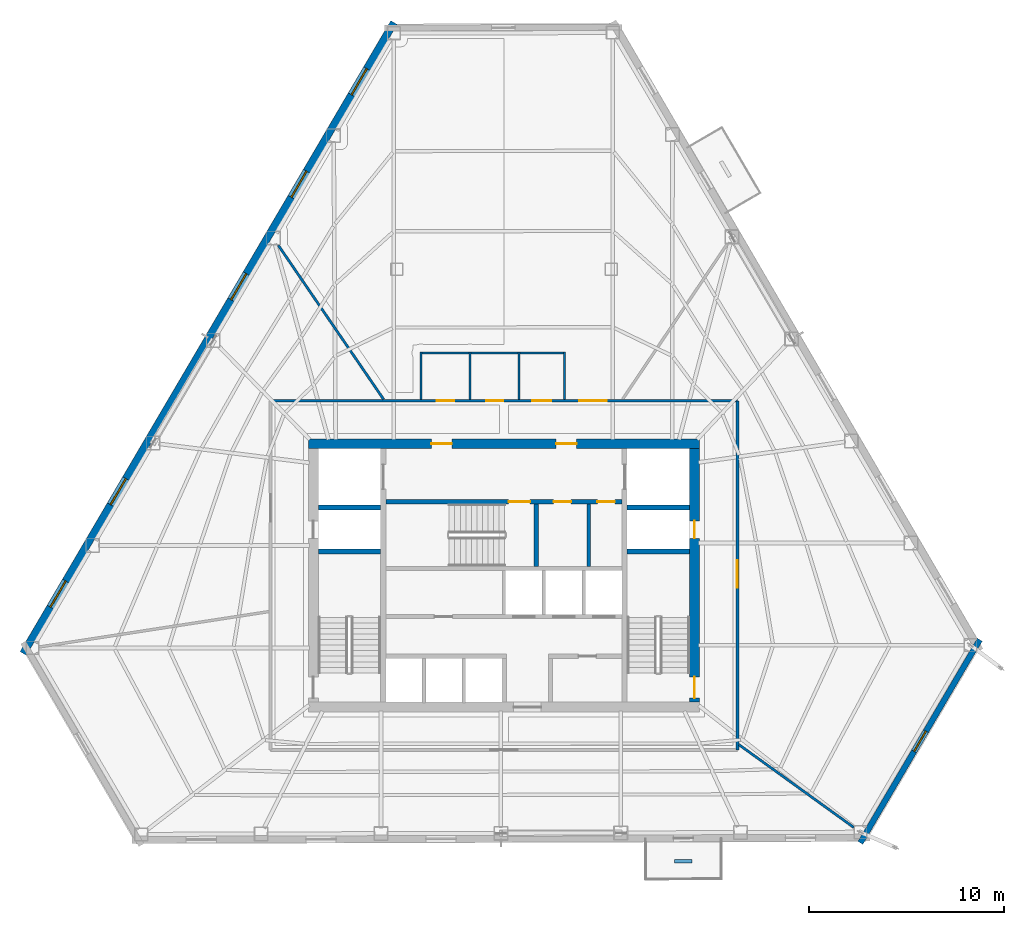
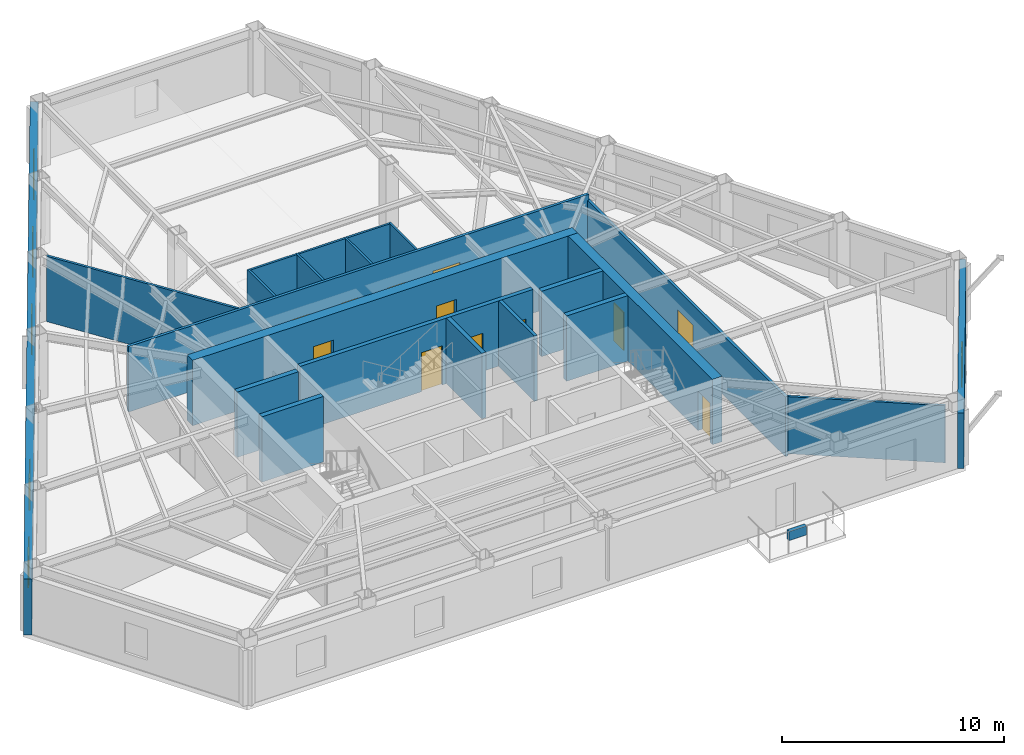
# One storey, part 7 of 10: 21 walls, 12 doors, 6 windows, 18 openings.
"""IFC4 building model written with IfcOpenShell, lengths in metres."""

import ifcopenshell
import ifcopenshell.guid

model = None  # the IFC model being written
_history = None  # IfcOwnerHistory: only IFC2X3 demands one
_inside = {}  # id of a spatial element -> (the spatial element, [elements in it])
_under = {}  # id of a project, library or spatial element -> (it, [spatial elements below it])
_declared = {}  # id of a project -> (the project, [libraries it declares])
_typed = {}  # id of a type object -> (the type object, [elements of that type])
_made_of = {}  # id of a material, layer set ... -> (it, [elements and type objects made of it])


def new_model(schema):
    """Start an empty IFC model of exactly this schema.

    Asked for "IFC4X3", IfcOpenShell would pick the latest addendum, in which some entities
    have other attributes; the version numbers below select the first issue.
    IFC2X3 requires an IfcOwnerHistory on every rooted entity: one is made here for all.
    """
    global model, _history
    if schema == "IFC4X3":
        model = ifcopenshell.file(schema_version=(4, 3, 0, 0))
    else:
        model = ifcopenshell.file(schema=schema)
    _inside.clear()
    _under.clear()
    _declared.clear()
    _typed.clear()
    _made_of.clear()
    _history = None
    if model.schema == "IFC2X3":
        org = make("IfcOrganization", Name="unknown")
        user = make(
            "IfcPersonAndOrganization",
            ThePerson=make("IfcPerson", FamilyName="unknown"),
            TheOrganization=org,
        )
        app = make(
            "IfcApplication",
            ApplicationDeveloper=org,
            Version="unknown",
            ApplicationFullName="unknown",
            ApplicationIdentifier="unknown",
        )
        _history = make(
            "IfcOwnerHistory",
            OwningUser=user,
            OwningApplication=app,
            ChangeAction="ADDED",
            CreationDate=0,
        )
    return model


def make(cls, **values):
    """One entity of the class cls with the attributes given. An attribute that is None is left unset."""
    return model.create_entity(
        cls, **{name: value for name, value in values.items() if value is not None}
    )


def rooted(cls, **values):
    """An entity with a GlobalId (a new one), such as an element, a storey or a relation."""
    return make(cls, GlobalId=ifcopenshell.guid.new(), OwnerHistory=_history, **values)


def si_unit(unit_type, name, prefix=None):
    """IfcSIUnit, for example si_unit("LENGTHUNIT", "METRE", prefix="MILLI")."""
    return make("IfcSIUnit", UnitType=unit_type, Prefix=prefix, Name=name)


def assignment(units):
    """IfcUnitAssignment: the units of a project."""
    return None if units is None else make("IfcUnitAssignment", Units=units)


def point(xyz):
    """IfcCartesianPoint."""
    return None if xyz is None else make("IfcCartesianPoint", Coordinates=xyz)


def direction(xyz):
    """IfcDirection."""
    return None if xyz is None else make("IfcDirection", DirectionRatios=xyz)


def frame(location, z_axis=None, x_axis=None):
    """IfcAxis2Placement3D, a coordinate frame: its origin and axes. An axis left out is left unset."""
    return make(
        "IfcAxis2Placement3D",
        Location=point(location),
        Axis=direction(z_axis),
        RefDirection=direction(x_axis),
    )


def frame_2d(location, x_axis=None):
    """IfcAxis2Placement2D, a coordinate frame in the plane: its origin and x axis."""
    return make(
        "IfcAxis2Placement2D", Location=point(location), RefDirection=direction(x_axis)
    )


def origin():
    """The frame at (0, 0, 0) with its axes left unset."""
    return frame((0.0, 0.0, 0.0))


def place(relative_to, where):
    """IfcLocalPlacement: puts the frame where relative to a parent placement (None: the world)."""
    return make(
        "IfcLocalPlacement", PlacementRelTo=relative_to, RelativePlacement=where
    )


def context(
    kind, dimensions, precision=None, world=None, true_north=None, identifier=None
):
    """IfcGeometricRepresentationContext, for example the 3D "Model" context."""
    return make(
        "IfcGeometricRepresentationContext",
        ContextIdentifier=identifier,
        ContextType=kind,
        CoordinateSpaceDimension=dimensions,
        Precision=precision,
        WorldCoordinateSystem=world,
        TrueNorth=true_north,
    )


def subcontext(parent, identifier, kind, view, scale=None):
    """IfcGeometricRepresentationSubContext, for example "Body" below "Model"."""
    return make(
        "IfcGeometricRepresentationSubContext",
        ContextIdentifier=identifier,
        ContextType=kind,
        ParentContext=parent,
        TargetScale=scale,
        TargetView=view,
    )


def project(units=None, contexts=None):
    """IfcProject with its units and contexts."""
    return rooted(
        "IfcProject",
        Name="project",
        RepresentationContexts=contexts,
        UnitsInContext=assignment(units),
    )


def spatial(cls, under=None, at=None, **own):
    """A site, building, storey or space (cls), placed at a placement, below another one or the project."""
    s = rooted(cls, ObjectPlacement=at, **own)
    if under is not None:
        _under.setdefault(under.id(), (under, []))[1].append(s)
    return s


def profile(cls, at=None, kind="AREA", **sizes):
    """A parametric profile (cls). Its sizes go by their IFC names, for example OverallWidth=200.0."""
    return make(cls, ProfileType=kind, Position=at, **sizes)


def rectangle(**sizes):
    """IfcRectangleProfileDef."""
    return profile("IfcRectangleProfileDef", **sizes)


def extrude(swept, where, along, depth):
    """IfcExtrudedAreaSolid: the profile swept, set in the frame where, extruded along a direction by depth."""
    return make(
        "IfcExtrudedAreaSolid",
        SweptArea=swept,
        Position=where,
        ExtrudedDirection=direction(along),
        Depth=depth,
    )


def shape(context_of_items, identifier, shape_type, items):
    """IfcShapeRepresentation: the items that make up one representation, for example the "Body"."""
    return make(
        "IfcShapeRepresentation",
        ContextOfItems=context_of_items,
        RepresentationIdentifier=identifier,
        RepresentationType=shape_type,
        Items=items,
    )


def material(Name=None, Category=None):
    """IfcMaterial."""
    return make("IfcMaterial", Name=Name, Category=Category)


def layer(
    of_material, thickness, ventilated=None, Name=None, Category=None, Priority=None
):
    """IfcMaterialLayer: one layer of a wall or slab, of a material (None: an air gap)."""
    return make(
        "IfcMaterialLayer",
        Material=of_material,
        LayerThickness=thickness,
        IsVentilated=ventilated,
        Name=Name,
        Category=Category,
        Priority=Priority,
    )


def layer_set(layers, Name=None):
    """IfcMaterialLayerSet."""
    return make("IfcMaterialLayerSet", MaterialLayers=layers, LayerSetName=Name)


def made_of(thing, what):
    """Note that an element or type object is made of a material, layer set ...; save() writes the relation."""
    if what is not None:
        _made_of.setdefault(what.id(), (what, []))[1].append(thing)
    return thing


def type_object(cls, material=None, **own):
    """A type object (cls), such as IfcWallType, which elements share."""
    return made_of(rooted(cls, **own), material)


def element(
    cls,
    number,
    at=None,
    inside=None,
    cuts=None,
    type_object=None,
    material=None,
    context=None,
    identifier="Body",
    shape_type=None,
    held_by="IfcProductDefinitionShape",
    body=None,
    shapes=None,
    **own,
):
    """One element of the class cls, such as IfcWall. Its Tag is "e" and its number.

    at: its placement. inside: the storey or other place that contains it. cuts: it is an
    opening in that element (IfcRelVoidsElement). A single representation is given by context,
    identifier, shape_type and body (its items); several are given by shapes. held_by: the class
    of the entity that holds the representations. save() writes the other relations.
    """
    e = rooted(cls, Tag="e%d" % number, ObjectPlacement=at, **own)
    if body is not None:
        shapes = [shape(context, identifier, shape_type, body)]
    if shapes is not None:
        e.Representation = make(held_by, Representations=shapes)
    if inside is not None:
        _inside.setdefault(inside.id(), (inside, []))[1].append(e)
    if cuts is not None:
        rooted(
            "IfcRelVoidsElement", RelatingBuildingElement=cuts, RelatedOpeningElement=e
        )
    if type_object is not None:
        _typed.setdefault(type_object.id(), (type_object, []))[1].append(e)
    return made_of(e, material)


def fill(opening, filler):
    """IfcRelFillsElement: the door or window that sits in an opening."""
    return rooted(
        "IfcRelFillsElement",
        RelatingOpeningElement=opening,
        RelatedBuildingElement=filler,
    )


def aggregate(whole, parts):
    """IfcRelAggregates: a whole, such as a stair, and the parts it consists of."""
    return rooted("IfcRelAggregates", RelatingObject=whole, RelatedObjects=parts)


def save(model, path):
    """Write the relations noted so far, then the file.

    IfcRelAggregates (storeys below a building ...), IfcRelContainedInSpatialStructure (elements
    in a storey), IfcRelDefinesByType, IfcRelAssociatesMaterial and IfcRelDeclares: one each for
    every whole, place, type object, material and project.
    """
    for whole, parts in _under.values():
        aggregate(whole, parts)
    for where, things in _inside.values():
        rooted(
            "IfcRelContainedInSpatialStructure",
            RelatedElements=things,
            RelatingStructure=where,
        )
    for kind, things in _typed.values():
        rooted("IfcRelDefinesByType", RelatedObjects=things, RelatingType=kind)
    for what, things in _made_of.values():
        rooted("IfcRelAssociatesMaterial", RelatedObjects=things, RelatingMaterial=what)
    for by, libraries in _declared.values():
        rooted("IfcRelDeclares", RelatingContext=by, RelatedDefinitions=libraries)
    model.write(path)


model = new_model("IFC4")

# Units and contexts
model_context = context("Model", 3, precision=1e-05, world=origin(), true_north=direction((0.0, 1.0)))
body_context = subcontext(model_context, "Body", "Model", "MODEL_VIEW")
ifc_project = project(units=[si_unit("LENGTHUNIT", "METRE"), si_unit("AREAUNIT", "SQUARE_METRE"), si_unit("VOLUMEUNIT", "CUBIC_METRE"), si_unit("PLANEANGLEUNIT", "RADIAN"), si_unit("MASSUNIT", "GRAM", prefix="KILO")], contexts=[model_context])

# Site, building, storey
site_placement = place(None, origin())
site = spatial("IfcSite", under=ifc_project, at=site_placement, CompositionType="ELEMENT")
building_placement = place(site_placement, origin())
building = spatial("IfcBuilding", under=site, at=building_placement, Name="Kavelnor Concourse Tower", CompositionType="ELEMENT")
storey_placement = place(building_placement, frame((0.0, 0.0, 135.550048828125)))
storey = spatial("IfcBuildingStorey", under=building, at=storey_placement, Name="L34", CompositionType="ELEMENT", Elevation=135.550048828125)

# Wall, openings, doors
ifc_material_1 = material(Name="Concrete C60/75", Category="concrete")
ifc_layer_1 = layer(ifc_material_1, 0.5, Name="Concrete C60/75")
ifc_layer_set_1 = layer_set([ifc_layer_1], Name="Concrete C60/75")
wall_type_1 = type_object("IfcWallType", Name="WL-CORE-Z2-500", PredefinedType="SOLIDWALL", material=ifc_layer_set_1)
wall_1_placement = place(storey_placement, frame((27.97998046875, 22.85009765625, 0.0), z_axis=(0.0, 0.0, 1.0), x_axis=(1.0, 0.0, 0.0)))
wall_1 = element("IfcWall", 1, at=wall_1_placement, inside=storey, type_object=wall_type_1, Name="L34 Central Core North Shear Wall", PredefinedType="SOLIDWALL", context=body_context, shape_type="SweptSolid", body=[
    extrude(rectangle(XDim=20.0400390625, YDim=0.5, at=frame_2d((10.02001953125, 0.0))), origin(), (0.0, 0.0, 1.0), 3.599853515625),
])
opening_1_placement = place(wall_1_placement, frame((6.294921875, 0.0, 0.0)))
opening_1 = element("IfcOpeningElement", 2, at=opening_1_placement, cuts=wall_1, Name="Opening FD-105", PredefinedType="OPENING", context=body_context, shape_type="SweptSolid", body=[
    extrude(rectangle(XDim=1.050048828125, YDim=2.14990234375, at=frame_2d((0.52490234375, 1.074951171875))), frame((0.0, 0.260009765625, 0.0), z_axis=(0.0, -1.0, 0.0), x_axis=(1.0, 0.0, 0.0)), (0.0, 0.0, 1.0), 0.52001953125),
])
opening_2_placement = place(wall_1_placement, frame((12.695068359375, 0.0, 0.0)))
opening_2 = element("IfcOpeningElement", 3, at=opening_2_placement, cuts=wall_1, Name="Opening FD-105", PredefinedType="OPENING", context=body_context, shape_type="SweptSolid", body=[
    extrude(rectangle(XDim=1.050048828125, YDim=2.14990234375, at=frame_2d((0.52490234375, 1.074951171875))), frame((0.0, 0.260009765625, 0.0), z_axis=(0.0, -1.0, 0.0), x_axis=(1.0, 0.0, 0.0)), (0.0, 0.0, 1.0), 0.52001953125),
])
ifc_material_2 = material(Name="Steel Grade 350", Category="steel")
door_type_1 = type_object("IfcDoorType", Name="DR-LOBBY-FIRE-1050", OperationType="NOTDEFINED", PredefinedType="DOOR", material=ifc_material_2)
door_1_placement = place(opening_1_placement, origin())
door_1 = element("IfcDoor", 4, at=door_1_placement, inside=storey, type_object=door_type_1, Name="L34 Emergency Lift Lobby West Door", OperationType="SINGLE_SWING_LEFT", OverallHeight=2.14990234375, OverallWidth=1.050048828125, PredefinedType="DOOR", context=body_context, shape_type="SweptSolid", body=[
    extrude(rectangle(XDim=1.050048828125, YDim=2.14990234375, at=frame_2d((0.52490234375, 1.074951171875))), frame((0.0, 0.02490234375, 0.0), z_axis=(0.0, -1.0, 0.0), x_axis=(1.0, 0.0, 0.0)), (0.0, 0.0, 1.0), 0.050048828125),
])
fill(opening_1, door_1)
door_2_placement = place(opening_2_placement, origin())
door_2 = element("IfcDoor", 5, at=door_2_placement, inside=storey, type_object=door_type_1, Name="L34 Emergency Lift Lobby East Door", OperationType="SINGLE_SWING_RIGHT", OverallHeight=2.14990234375, OverallWidth=1.050048828125, PredefinedType="DOOR", context=body_context, shape_type="SweptSolid", body=[
    extrude(rectangle(XDim=1.050048828125, YDim=2.14990234375, at=frame_2d((0.52490234375, 1.074951171875))), frame((0.0, 0.02490234375, 0.0), z_axis=(0.0, -1.0, 0.0), x_axis=(1.0, 0.0, 0.0)), (0.0, 0.0, 1.0), 0.050048828125),
])
fill(opening_2, door_2)

wall_2_placement = place(storey_placement, frame((47.77001953125, 9.60009765625, 0.0), z_axis=(0.0, 0.0, 1.0), x_axis=(0.0, 1.0, 0.0)))
wall_2 = element("IfcWall", 6, at=wall_2_placement, inside=storey, type_object=wall_type_1, Name="L34 Central Core East Shear Wall", PredefinedType="SOLIDWALL", context=body_context, shape_type="SweptSolid", body=[
    extrude(rectangle(XDim=13.0, YDim=0.5, at=frame_2d((6.5, 0.0))), origin(), (0.0, 0.0, 1.0), 3.599853515625),
])
opening_3_placement = place(wall_2_placement, frame((0.199951171875, 0.0, 0.0)))
opening_3 = element("IfcOpeningElement", 7, at=opening_3_placement, cuts=wall_2, Name="Opening FD-110", PredefinedType="OPENING", context=body_context, shape_type="SweptSolid", body=[
    extrude(rectangle(XDim=1.10009765625, YDim=2.14990234375, at=frame_2d((0.550048828125, 1.074951171875))), frame((0.0, 0.260009765625, 0.0), z_axis=(0.0, -1.0, 0.0), x_axis=(1.0, 0.0, 0.0)), (0.0, 0.0, 1.0), 0.52001953125),
])
opening_4_placement = place(wall_2_placement, frame((8.39990234375, 0.0, 0.0)))
opening_4 = element("IfcOpeningElement", 8, at=opening_4_placement, cuts=wall_2, Name="Opening FD-090", PredefinedType="OPENING", context=body_context, shape_type="SweptSolid", body=[
    extrude(rectangle(XDim=0.89990234375, YDim=2.10009765625, at=frame_2d((0.449951171875, 1.050048828125))), frame((0.0, 0.260009765625, 0.0), z_axis=(0.0, -1.0, 0.0), x_axis=(1.0, 0.0, 0.0)), (0.0, 0.0, 1.0), 0.52001953125),
])
door_type_2 = type_object("IfcDoorType", Name="DR-RISER-FIRE-900", OperationType="NOTDEFINED", PredefinedType="DOOR", material=ifc_material_2)
door_3_placement = place(opening_4_placement, origin())
door_3 = element("IfcDoor", 9, at=door_3_placement, inside=storey, type_object=door_type_2, Name="L34 East Riser Access Door", OperationType="SINGLE_SWING_LEFT", OverallHeight=2.10009765625, OverallWidth=0.89990234375, PredefinedType="DOOR", context=body_context, shape_type="SweptSolid", body=[
    extrude(rectangle(XDim=0.89990234375, YDim=2.10009765625, at=frame_2d((0.449951171875, 1.050048828125))), frame((0.0, 0.02490234375, 0.0), z_axis=(0.0, -1.0, 0.0), x_axis=(1.0, 0.0, 0.0)), (0.0, 0.0, 1.0), 0.050048828125),
])
fill(opening_4, door_3)
door_type_3 = type_object("IfcDoorType", Name="DR-STAIR-FIRE-1100", OperationType="NOTDEFINED", PredefinedType="DOOR", material=ifc_material_2)
door_4_placement = place(opening_3_placement, origin())
door_4 = element("IfcDoor", 10, at=door_4_placement, inside=storey, type_object=door_type_3, Name="L34 Stair ST2 Fire Door", OperationType="SINGLE_SWING_RIGHT", OverallHeight=2.14990234375, OverallWidth=1.10009765625, PredefinedType="DOOR", context=body_context, shape_type="SweptSolid", body=[
    extrude(rectangle(XDim=1.10009765625, YDim=2.14990234375, at=frame_2d((0.550048828125, 1.074951171875))), frame((0.0, 0.02490234375, 0.0), z_axis=(0.0, -1.0, 0.0), x_axis=(1.0, 0.0, 0.0)), (0.0, 0.0, 1.0), 0.050048828125),
])
fill(opening_3, door_4)

# Wall, opening, window
ifc_material_3 = material(Name="Buff ironspot clay face brick masonry", Category="masonry")
ifc_layer_2 = layer(ifc_material_3, 0.300048828125, Name="Buff ironspot clay face brick masonry")
ifc_layer_set_2 = layer_set([ifc_layer_2], Name="Buff ironspot clay face brick masonry")
wall_type_2 = type_object("IfcWallType", Name="WL-EXT-BUFF-BRICK-FOLD-300", PredefinedType="STANDARD", material=ifc_layer_set_2)
wall_3_placement = place(storey_placement, frame((62.3974609375, 12.8017578125, 0.0), z_axis=(0.0, 0.0, 1.0), x_axis=(-0.506717254538, -0.862112303562, 0.0)))
wall_3 = element("IfcWall", 11, at=wall_3_placement, inside=storey, type_object=wall_type_2, Name="L34 Exterior Brick Facade Wall E4", PredefinedType="STANDARD", context=body_context, shape_type="SweptSolid", body=[
    extrude(rectangle(XDim=12.084228515625, YDim=0.300048828125, at=frame_2d((6.0419921875, 0.0))), origin(), (0.0, 0.0, 1.0), 3.058837890625),
])
opening_5_placement = place(wall_3_placement, frame((5.442138671875, 0.0, 0.64990234375)))
opening_5 = element("IfcOpeningElement", 12, at=opening_5_placement, cuts=wall_3, Name="Opening W-05", PredefinedType="OPENING", context=body_context, shape_type="SweptSolid", body=[
    extrude(rectangle(XDim=1.199951171875, YDim=1.699951171875, at=frame_2d((0.60009765625, 0.85009765625))), frame((0.0, 0.16015625, 0.0), z_axis=(0.0, -1.0, 0.0), x_axis=(1.0, 0.0, 0.0)), (0.0, 0.0, 1.0), 0.320068359375),
])
ifc_material_4 = material(Name="Double low-E argon insulated glazing", Category="glass")
window_type_1 = type_object("IfcWindowType", Name="WIN-FOLD-1200", PartitioningType="SINGLE_PANEL", PredefinedType="WINDOW", material=ifc_material_4)
window_1_placement = place(opening_5_placement, origin())
window_1 = element("IfcWindow", 13, at=window_1_placement, inside=storey, type_object=window_type_1, Name="L34 Chamfer-Fold Facet Window C2", OverallHeight=1.699951171875, OverallWidth=1.199951171875, PartitioningType="SINGLE_PANEL", PredefinedType="WINDOW", context=body_context, shape_type="SweptSolid", body=[
    extrude(rectangle(XDim=1.199951171875, YDim=1.699951171875, at=frame_2d((0.60009765625, 0.85009765625))), frame((0.0, 0.030029296875, 0.0), z_axis=(0.0, -1.0, 0.0), x_axis=(1.0, 0.0, 0.0)), (0.0, 0.0, 1.0), 0.06005859375),
])
fill(opening_5, window_1)

# Wall, openings, windows
ifc_material_5 = material(Name="Red-ochre clay face brick masonry", Category="masonry")
ifc_layer_3 = layer(ifc_material_5, 0.3798828125, Name="Red-ochre clay face brick masonry")
ifc_layer_set_3 = layer_set([ifc_layer_3], Name="Red-ochre clay face brick masonry")
wall_type_3 = type_object("IfcWallType", Name="WL-EXT-RED-BRICK-PIER-380", PredefinedType="STANDARD", material=ifc_layer_set_3)
wall_4_placement = place(storey_placement, frame((13.3486328125, 12.09765625, 0.0), z_axis=(0.0, 0.0, 1.0), x_axis=(0.506726076083, 0.862107118528, 0.0)))
wall_4 = element("IfcWall", 14, at=wall_4_placement, inside=storey, type_object=wall_type_3, Name="L34 Exterior Brick Facade Wall E1", PredefinedType="STANDARD", context=body_context, shape_type="SweptSolid", body=[
    extrude(rectangle(XDim=37.521728515625, YDim=0.3798828125, at=frame_2d((18.7607421875, 0.0))), origin(), (0.0, 0.0, 1.0), 3.058837890625),
])
opening_6_placement = place(wall_4_placement, frame((33.2255859375, 0.0, 0.64990234375)))
opening_6 = element("IfcOpeningElement", 15, at=opening_6_placement, cuts=wall_4, Name="Opening W-02", PredefinedType="OPENING", context=body_context, shape_type="SweptSolid", body=[
    extrude(rectangle(XDim=1.550048828125, YDim=1.75, at=frame_2d((0.77490234375, 0.875))), frame((0.0, 0.199951171875, 0.0), z_axis=(0.0, -1.0, 0.0), x_axis=(1.0, 0.0, 0.0)), (0.0, 0.0, 1.0), 0.39990234375),
])
opening_7_placement = place(wall_4_placement, frame((27.131103515625, 0.0, 0.64990234375)))
opening_7 = element("IfcOpeningElement", 16, at=opening_7_placement, cuts=wall_4, Name="Opening W-02", PredefinedType="OPENING", context=body_context, shape_type="SweptSolid", body=[
    extrude(rectangle(XDim=1.550048828125, YDim=1.75, at=frame_2d((0.77490234375, 0.875))), frame((0.0, 0.199951171875, 0.0), z_axis=(0.0, -1.0, 0.0), x_axis=(1.0, 0.0, 0.0)), (0.0, 0.0, 1.0), 0.39990234375),
])
opening_8_placement = place(wall_4_placement, frame((21.03662109375, 0.0, 0.64990234375)))
opening_8 = element("IfcOpeningElement", 17, at=opening_8_placement, cuts=wall_4, Name="Opening W-02", PredefinedType="OPENING", context=body_context, shape_type="SweptSolid", body=[
    extrude(rectangle(XDim=1.550048828125, YDim=1.75, at=frame_2d((0.77490234375, 0.875))), frame((0.0, 0.199951171875, 0.0), z_axis=(0.0, -1.0, 0.0), x_axis=(1.0, 0.0, 0.0)), (0.0, 0.0, 1.0), 0.39990234375),
])
opening_9_placement = place(wall_4_placement, frame((8.847900390625, 0.0, 0.64990234375)))
opening_9 = element("IfcOpeningElement", 18, at=opening_9_placement, cuts=wall_4, Name="Opening W-02", PredefinedType="OPENING", context=body_context, shape_type="SweptSolid", body=[
    extrude(rectangle(XDim=1.550048828125, YDim=1.75, at=frame_2d((0.77490234375, 0.875))), frame((0.0, 0.199951171875, 0.0), z_axis=(0.0, -1.0, 0.0), x_axis=(1.0, 0.0, 0.0)), (0.0, 0.0, 1.0), 0.39990234375),
])
opening_10_placement = place(wall_4_placement, frame((2.75341796875, 0.0, 0.64990234375)))
opening_10 = element("IfcOpeningElement", 19, at=opening_10_placement, cuts=wall_4, Name="Opening W-02", PredefinedType="OPENING", context=body_context, shape_type="SweptSolid", body=[
    extrude(rectangle(XDim=1.550048828125, YDim=1.75, at=frame_2d((0.77490234375, 0.875))), frame((0.0, 0.199951171875, 0.0), z_axis=(0.0, -1.0, 0.0), x_axis=(1.0, 0.0, 0.0)), (0.0, 0.0, 1.0), 0.39990234375),
])
window_type_2 = type_object("IfcWindowType", Name="WIN-PIER-Z2-1650", PartitioningType="SINGLE_PANEL", PredefinedType="WINDOW", material=ifc_material_4)
window_2_placement = place(opening_6_placement, origin())
window_2 = element("IfcWindow", 20, at=window_2_placement, inside=storey, type_object=window_type_2, Name="L34 Deep-Set Brick Pier Window F0-B0", OverallHeight=1.75, OverallWidth=1.550048828125, PartitioningType="SINGLE_PANEL", PredefinedType="WINDOW", context=body_context, shape_type="SweptSolid", body=[
    extrude(rectangle(XDim=1.550048828125, YDim=1.75, at=frame_2d((0.77490234375, 0.875))), frame((0.0, 0.030029296875, 0.0), z_axis=(0.0, -1.0, 0.0), x_axis=(1.0, 0.0, 0.0)), (0.0, 0.0, 1.0), 0.06005859375),
])
fill(opening_6, window_2)
window_3_placement = place(opening_7_placement, origin())
window_3 = element("IfcWindow", 21, at=window_3_placement, inside=storey, type_object=window_type_2, Name="L34 Deep-Set Brick Pier Window F0-B1", OverallHeight=1.75, OverallWidth=1.550048828125, PartitioningType="SINGLE_PANEL", PredefinedType="WINDOW", context=body_context, shape_type="SweptSolid", body=[
    extrude(rectangle(XDim=1.550048828125, YDim=1.75, at=frame_2d((0.77490234375, 0.875))), frame((0.0, 0.030029296875, 0.0), z_axis=(0.0, -1.0, 0.0), x_axis=(1.0, 0.0, 0.0)), (0.0, 0.0, 1.0), 0.06005859375),
])
fill(opening_7, window_3)
window_4_placement = place(opening_8_placement, origin())
window_4 = element("IfcWindow", 22, at=window_4_placement, inside=storey, type_object=window_type_2, Name="L34 Deep-Set Brick Pier Window F0-B2", OverallHeight=1.75, OverallWidth=1.550048828125, PartitioningType="SINGLE_PANEL", PredefinedType="WINDOW", context=body_context, shape_type="SweptSolid", body=[
    extrude(rectangle(XDim=1.550048828125, YDim=1.75, at=frame_2d((0.77490234375, 0.875))), frame((0.0, 0.030029296875, 0.0), z_axis=(0.0, -1.0, 0.0), x_axis=(1.0, 0.0, 0.0)), (0.0, 0.0, 1.0), 0.06005859375),
])
fill(opening_8, window_4)
window_5_placement = place(opening_9_placement, origin())
window_5 = element("IfcWindow", 23, at=window_5_placement, inside=storey, type_object=window_type_2, Name="L34 Deep-Set Brick Pier Window F0-B4", OverallHeight=1.75, OverallWidth=1.550048828125, PartitioningType="SINGLE_PANEL", PredefinedType="WINDOW", context=body_context, shape_type="SweptSolid", body=[
    extrude(rectangle(XDim=1.550048828125, YDim=1.75, at=frame_2d((0.77490234375, 0.875))), frame((0.0, 0.030029296875, 0.0), z_axis=(0.0, -1.0, 0.0), x_axis=(1.0, 0.0, 0.0)), (0.0, 0.0, 1.0), 0.06005859375),
])
fill(opening_9, window_5)
window_6_placement = place(opening_10_placement, origin())
window_6 = element("IfcWindow", 24, at=window_6_placement, inside=storey, type_object=window_type_2, Name="L34 Deep-Set Brick Pier Window F0-B5", OverallHeight=1.75, OverallWidth=1.550048828125, PartitioningType="SINGLE_PANEL", PredefinedType="WINDOW", context=body_context, shape_type="SweptSolid", body=[
    extrude(rectangle(XDim=1.550048828125, YDim=1.75, at=frame_2d((0.77490234375, 0.875))), frame((0.0, 0.030029296875, 0.0), z_axis=(0.0, -1.0, 0.0), x_axis=(1.0, 0.0, 0.0)), (0.0, 0.0, 1.0), 0.06005859375),
])
fill(opening_10, window_6)

# Wall, opening, door
ifc_material_6 = material(Name="Gypsum plasterboard on light-gauge steel studs", Category="steel")
ifc_layer_4 = layer(ifc_material_6, 0.14501953125, Name="Gypsum plasterboard on light-gauge steel studs")
ifc_layer_set_4 = layer_set([ifc_layer_4], Name="Gypsum plasterboard on light-gauge steel studs")
wall_type_4 = type_object("IfcWallType", Name="WL-INT-CORR-145", PredefinedType="PARTITIONING", material=ifc_layer_set_4)
wall_5_placement = place(storey_placement, frame((49.969970703125, 7.14990234375, 0.0), z_axis=(0.0, 0.0, 1.0), x_axis=(0.0, 1.0, 0.0)))
wall_5 = element("IfcWall", 25, at=wall_5_placement, inside=storey, type_object=wall_type_4, Name="L34 Corridor Wall WL-L34-CR-01", PredefinedType="PARTITIONING", context=body_context, shape_type="SweptSolid", body=[
    extrude(rectangle(XDim=17.900146484375, YDim=0.14501953125, at=frame_2d((8.9501953125, 0.0))), origin(), (0.0, 0.0, 1.0), 3.287841796875),
])
opening_11_placement = place(wall_5_placement, frame((8.328125, 0.0, 0.0)))
opening_11 = element("IfcOpeningElement", 26, at=opening_11_placement, cuts=wall_5, Name="Opening SD-140", PredefinedType="OPENING", context=body_context, shape_type="SweptSolid", body=[
    extrude(rectangle(XDim=1.39990234375, YDim=2.199951171875, at=frame_2d((0.699951171875, 1.10009765625))), frame((0.0, 0.08251953125, 0.0), z_axis=(0.0, -1.0, 0.0), x_axis=(1.0, 0.0, 0.0)), (0.0, 0.0, 1.0), 0.1650390625),
])
ifc_material_7 = material(Name="Solid-core hardwood timber", Category="wood")
door_type_4 = type_object("IfcDoorType", Name="DR-SUITE-ENTRY-1400", OperationType="NOTDEFINED", PredefinedType="DOOR", material=ifc_material_7)
door_5_placement = place(opening_11_placement, origin())
door_5 = element("IfcDoor", 27, at=door_5_placement, inside=storey, type_object=door_type_4, Name="L34 Client Concierge 01 Door", OperationType="SINGLE_SWING_RIGHT", OverallHeight=2.199951171875, OverallWidth=1.39990234375, PredefinedType="DOOR", context=body_context, shape_type="SweptSolid", body=[
    extrude(rectangle(XDim=1.39990234375, YDim=2.199951171875, at=frame_2d((0.699951171875, 1.10009765625))), frame((0.0, 0.02490234375, 0.0), z_axis=(0.0, -1.0, 0.0), x_axis=(1.0, 0.0, 0.0)), (0.0, 0.0, 1.0), 0.050048828125),
])
fill(opening_11, door_5)

# Wall, openings, doors
wall_6_placement = place(storey_placement, frame((49.969970703125, 25.050048828125, 0.0), z_axis=(0.0, 0.0, 1.0), x_axis=(-1.0, 0.0, 0.0)))
wall_6 = element("IfcWall", 28, at=wall_6_placement, inside=storey, type_object=wall_type_4, Name="L34 Corridor Wall WL-L34-CR-02", PredefinedType="PARTITIONING", context=body_context, shape_type="SweptSolid", body=[
    extrude(rectangle(XDim=23.93994140625, YDim=0.14501953125, at=frame_2d((11.969970703125, 0.0))), origin(), (0.0, 0.0, 1.0), 3.599853515625),
])
opening_12_placement = place(wall_6_placement, frame((14.530029296875, 0.0, 0.0)))
opening_12 = element("IfcOpeningElement", 29, at=opening_12_placement, cuts=wall_6, Name="Opening WD-088", PredefinedType="OPENING", context=body_context, shape_type="SweptSolid", body=[
    extrude(rectangle(XDim=0.8798828125, YDim=2.10009765625, at=frame_2d((0.43994140625, 1.050048828125))), frame((0.0, 0.08251953125, 0.0), z_axis=(0.0, -1.0, 0.0), x_axis=(1.0, 0.0, 0.0)), (0.0, 0.0, 1.0), 0.1650390625),
])
opening_13_placement = place(wall_6_placement, frame((12.010009765625, 0.0, 0.0)))
opening_13 = element("IfcOpeningElement", 30, at=opening_13_placement, cuts=wall_6, Name="Opening WD-088", PredefinedType="OPENING", context=body_context, shape_type="SweptSolid", body=[
    extrude(rectangle(XDim=0.8798828125, YDim=2.10009765625, at=frame_2d((0.43994140625, 1.050048828125))), frame((0.0, 0.08251953125, 0.0), z_axis=(0.0, -1.0, 0.0), x_axis=(1.0, 0.0, 0.0)), (0.0, 0.0, 1.0), 0.1650390625),
])
opening_14_placement = place(wall_6_placement, frame((9.550048828125, 0.0, 0.0)))
opening_14 = element("IfcOpeningElement", 31, at=opening_14_placement, cuts=wall_6, Name="Opening WD-096", PredefinedType="OPENING", context=body_context, shape_type="SweptSolid", body=[
    extrude(rectangle(XDim=0.9599609375, YDim=2.10009765625, at=frame_2d((0.47998046875, 1.050048828125))), frame((0.0, 0.08251953125, 0.0), z_axis=(0.0, -1.0, 0.0), x_axis=(1.0, 0.0, 0.0)), (0.0, 0.0, 1.0), 0.1650390625),
])
opening_15_placement = place(wall_6_placement, frame((6.709228515625, 0.0, 0.0)))
opening_15 = element("IfcOpeningElement", 32, at=opening_15_placement, cuts=wall_6, Name="Opening SD-140", PredefinedType="OPENING", context=body_context, shape_type="SweptSolid", body=[
    extrude(rectangle(XDim=1.39990234375, YDim=2.199951171875, at=frame_2d((0.699951171875, 1.10009765625))), frame((0.0, 0.08251953125, 0.0), z_axis=(0.0, -1.0, 0.0), x_axis=(1.0, 0.0, 0.0)), (0.0, 0.0, 1.0), 0.1650390625),
])
door_6_placement = place(opening_15_placement, origin())
door_6 = element("IfcDoor", 33, at=door_6_placement, inside=storey, type_object=door_type_4, Name="L34 Workplace Open Office 02 Door", OperationType="SINGLE_SWING_LEFT", OverallHeight=2.199951171875, OverallWidth=1.39990234375, PredefinedType="DOOR", context=body_context, shape_type="SweptSolid", body=[
    extrude(rectangle(XDim=1.39990234375, YDim=2.199951171875, at=frame_2d((0.699951171875, 1.10009765625))), frame((0.0, 0.02490234375, 0.0), z_axis=(0.0, -1.0, 0.0), x_axis=(1.0, 0.0, 0.0)), (0.0, 0.0, 1.0), 0.050048828125),
])
fill(opening_15, door_6)
door_type_5 = type_object("IfcDoorType", Name="DR-WC-ACC-960", OperationType="NOTDEFINED", PredefinedType="DOOR", material=ifc_material_7)
door_7_placement = place(opening_14_placement, origin())
door_7 = element("IfcDoor", 34, at=door_7_placement, inside=storey, type_object=door_type_5, Name="L34 Accessible WC Door", OperationType="SINGLE_SWING_RIGHT", OverallHeight=2.10009765625, OverallWidth=0.9599609375, PredefinedType="DOOR", context=body_context, shape_type="SweptSolid", body=[
    extrude(rectangle(XDim=0.9599609375, YDim=2.10009765625, at=frame_2d((0.47998046875, 1.050048828125))), frame((0.0, 0.02490234375, 0.0), z_axis=(0.0, -1.0, 0.0), x_axis=(1.0, 0.0, 0.0)), (0.0, 0.0, 1.0), 0.050048828125),
])
fill(opening_14, door_7)
door_type_6 = type_object("IfcDoorType", Name="DR-WC-STD-880", OperationType="NOTDEFINED", PredefinedType="DOOR", material=ifc_material_7)
door_8_placement = place(opening_12_placement, origin())
door_8 = element("IfcDoor", 35, at=door_8_placement, inside=storey, type_object=door_type_6, Name="L34 Male WC Door", OperationType="SINGLE_SWING_RIGHT", OverallHeight=2.10009765625, OverallWidth=0.8798828125, PredefinedType="DOOR", context=body_context, shape_type="SweptSolid", body=[
    extrude(rectangle(XDim=0.8798828125, YDim=2.10009765625, at=frame_2d((0.43994140625, 1.050048828125))), frame((0.0, 0.02490234375, 0.0), z_axis=(0.0, -1.0, 0.0), x_axis=(1.0, 0.0, 0.0)), (0.0, 0.0, 1.0), 0.050048828125),
])
fill(opening_12, door_8)
door_9_placement = place(opening_13_placement, origin())
door_9 = element("IfcDoor", 36, at=door_9_placement, inside=storey, type_object=door_type_6, Name="L34 Female WC Door", OperationType="SINGLE_SWING_LEFT", OverallHeight=2.10009765625, OverallWidth=0.8798828125, PredefinedType="DOOR", context=body_context, shape_type="SweptSolid", body=[
    extrude(rectangle(XDim=0.8798828125, YDim=2.10009765625, at=frame_2d((0.43994140625, 1.050048828125))), frame((0.0, 0.02490234375, 0.0), z_axis=(0.0, -1.0, 0.0), x_axis=(1.0, 0.0, 0.0)), (0.0, 0.0, 1.0), 0.050048828125),
])
fill(opening_13, door_9)

# Walls
ifc_layer_5 = layer(ifc_material_6, 0.1650390625, Name="Gypsum plasterboard on light-gauge steel studs")
ifc_layer_set_5 = layer_set([ifc_layer_5], Name="Gypsum plasterboard on light-gauge steel studs")
wall_type_5 = type_object("IfcWallType", Name="WL-INT-FIRE-165", PredefinedType="PARTITIONING", material=ifc_layer_set_5)
wall_7_placement = place(storey_placement, frame((42.35009765625, 16.56005859375, 0.0), z_axis=(0.0, 0.0, 1.0), x_axis=(0.0, 1.0, 0.0)))
element("IfcWall", 37, at=wall_7_placement, inside=storey, type_object=wall_type_5, Name="L34 Core Support Asymmetric Divider", PredefinedType="PARTITIONING", context=body_context, shape_type="SweptSolid", body=[
    extrude(rectangle(XDim=3.199951171875, YDim=0.1650390625, at=frame_2d((1.60009765625, 0.0))), origin(), (0.0, 0.0, 1.0), 3.599853515625),
])
ifc_layer_6 = layer(ifc_material_6, 0.125, Name="Gypsum plasterboard on light-gauge steel studs")
ifc_layer_set_6 = layer_set([ifc_layer_6], Name="Gypsum plasterboard on light-gauge steel studs")
wall_type_6 = type_object("IfcWallType", Name="WL-INT-SUITE-125", PredefinedType="PARTITIONING", material=ifc_layer_set_6)
wall_8_placement = place(storey_placement, frame((31.826171875, 25.130615234375, 0.0), z_axis=(0.0, 0.0, 1.0), x_axis=(-0.564384562589, 0.825512002039, 0.0)))
element("IfcWall", 38, at=wall_8_placement, inside=storey, type_object=wall_type_6, Name="L34 Radial Suite Partition 02", PredefinedType="PARTITIONING", context=body_context, shape_type="SweptSolid", body=[
    extrude(rectangle(XDim=9.561767578125, YDim=0.125, at=frame_2d((4.78076171875, 0.0))), origin(), (0.0, 0.0, 1.0), 3.599853515625),
])
wall_9_placement = place(storey_placement, frame((50.050537109375, 7.418212890625, 0.0), z_axis=(0.0, 0.0, 1.0), x_axis=(0.811344617989, -0.584568140476, 0.0)))
element("IfcWall", 39, at=wall_9_placement, inside=storey, type_object=wall_type_6, Name="L34 Radial Suite Partition 04", PredefinedType="PARTITIONING", context=body_context, shape_type="SweptSolid", body=[
    extrude(rectangle(XDim=7.250732421875, YDim=0.125, at=frame_2d((3.62548828125, 0.0))), origin(), (0.0, 0.0, 1.0), 3.140869140625),
])
ifc_layer_7 = layer(ifc_material_6, 0.110107421875, Name="Gypsum plasterboard on light-gauge steel studs")
ifc_layer_set_7 = layer_set([ifc_layer_7], Name="Gypsum plasterboard on light-gauge steel studs")
wall_type_7 = type_object("IfcWallType", Name="WL-INT-WC-110", PredefinedType="PLUMBINGWALL", material=ifc_layer_set_7)
for number, where, z_axis, x_axis, name in (
    (40, (33.739990234375, 25.1201171875, 0.0), (0.0, 0.0, 1.0), (0.0, 1.0, 0.0), "L34 Sanitary Partition WL-L34-WC-W"),
    (41, (36.260009765625, 25.1201171875, 0.0), (0.0, 0.0, 1.0), (0.0, 1.0, 0.0), "L34 Sanitary Partition WL-L34-WC-D1"),
    (42, (38.780029296875, 25.1201171875, 0.0), (0.0, 0.0, 1.0), (0.0, 1.0, 0.0), "L34 Sanitary Partition WL-L34-WC-D2"),
    (43, (41.10009765625, 25.1201171875, 0.0), (0.0, 0.0, 1.0), (0.0, 1.0, 0.0), "L34 Sanitary Partition WL-L34-WC-E"),
):
    element("IfcWall", number, at=place(storey_placement, frame(where, z_axis=z_axis, x_axis=x_axis)), inside=storey, type_object=wall_type_7, Name=name, PredefinedType="PLUMBINGWALL", context=body_context, shape_type="SweptSolid", body=[
        extrude(rectangle(XDim=2.43994140625, YDim=0.110107421875, at=frame_2d((1.219970703125, 0.0))), origin(), (0.0, 0.0, 1.0), 3.599853515625),
    ])
wall_10_placement = place(storey_placement, frame((33.68994140625, 27.5, 0.0), z_axis=(0.0, 0.0, 1.0), x_axis=(1.0, 0.0, 0.0)))
element("IfcWall", 44, at=wall_10_placement, inside=storey, type_object=wall_type_7, Name="L34 Sanitary Partition WL-L34-WC-N", PredefinedType="PLUMBINGWALL", context=body_context, shape_type="SweptSolid", body=[
    extrude(rectangle(XDim=7.4599609375, YDim=0.110107421875, at=frame_2d((3.72998046875, 0.0))), origin(), (0.0, 0.0, 1.0), 3.599853515625),
])
ifc_material_8 = material(Name="Architectural precast planter concrete C40/50", Category="concrete")
ifc_layer_8 = layer(ifc_material_8, 0.18994140625, Name="Architectural precast planter concrete C40/50")
ifc_layer_set_8 = layer_set([ifc_layer_8], Name="Architectural precast planter concrete C40/50")
wall_type_8 = type_object("IfcWallType", Name="WL-PLANTER-KERB-190", PredefinedType="USERDEFINED", material=ifc_layer_set_8)
wall_11_placement = place(storey_placement, frame((46.75244140625, 1.445556640625, 0.0), z_axis=(0.0, 0.0, 1.0), x_axis=(0.999995549527, 0.002983442106, 0.0)))
element("IfcWall", 45, at=wall_11_placement, inside=storey, type_object=wall_type_8, Name="L34 Tree Balcony 1 Tree Planter Kerb", ObjectType="PLANTER", PredefinedType="USERDEFINED", context=body_context, shape_type="SweptSolid", body=[
    extrude(rectangle(XDim=0.900146484375, YDim=0.18994140625, at=frame_2d((0.4501953125, 0.0))), origin(), (0.0, 0.0, 1.0), 0.5),
])

# Wall, openings, doors
ifc_material_9 = material(Name="Concrete C50/60", Category="concrete")
ifc_layer_9 = layer(ifc_material_9, 0.219970703125, Name="Concrete C50/60")
ifc_layer_set_9 = layer_set([ifc_layer_9], Name="Concrete C50/60")
wall_type_9 = type_object("IfcWallType", Name="WL-SHAFT-220", PredefinedType="SOLIDWALL", material=ifc_layer_set_9)
wall_12_placement = place(storey_placement, frame((31.93994140625, 19.8701171875, 0.0), z_axis=(0.0, 0.0, 1.0), x_axis=(1.0, 0.0, 0.0)))
wall_12 = element("IfcWall", 46, at=wall_12_placement, inside=storey, type_object=wall_type_9, Name="L34 Emergency Lift Lobby South Wall", PredefinedType="SOLIDWALL", context=body_context, shape_type="SweptSolid", body=[
    extrude(rectangle(XDim=12.1201171875, YDim=0.219970703125, at=frame_2d((6.06005859375, 0.0))), origin(), (0.0, 0.0, 1.0), 3.599853515625),
])
opening_16_placement = place(wall_12_placement, frame((6.300048828125, 0.0, 0.0)))
opening_16 = element("IfcOpeningElement", 47, at=opening_16_placement, cuts=wall_12, Name="Opening FD-110", PredefinedType="OPENING", context=body_context, shape_type="SweptSolid", body=[
    extrude(rectangle(XDim=1.10009765625, YDim=2.14990234375, at=frame_2d((0.550048828125, 1.074951171875))), frame((0.0, 0.1201171875, 0.0), z_axis=(0.0, -1.0, 0.0), x_axis=(1.0, 0.0, 0.0)), (0.0, 0.0, 1.0), 0.239990234375),
])
opening_17_placement = place(wall_12_placement, frame((8.610107421875, 0.0, 0.0)))
opening_17 = element("IfcOpeningElement", 48, at=opening_17_placement, cuts=wall_12, Name="Opening FD-090", PredefinedType="OPENING", context=body_context, shape_type="SweptSolid", body=[
    extrude(rectangle(XDim=0.89990234375, YDim=2.10009765625, at=frame_2d((0.449951171875, 1.050048828125))), frame((0.0, 0.1201171875, 0.0), z_axis=(0.0, -1.0, 0.0), x_axis=(1.0, 0.0, 0.0)), (0.0, 0.0, 1.0), 0.239990234375),
])
opening_18_placement = place(wall_12_placement, frame((10.85009765625, 0.0, 0.0)))
opening_18 = element("IfcOpeningElement", 49, at=opening_18_placement, cuts=wall_12, Name="Opening FD-090", PredefinedType="OPENING", context=body_context, shape_type="SweptSolid", body=[
    extrude(rectangle(XDim=0.89990234375, YDim=2.10009765625, at=frame_2d((0.449951171875, 1.050048828125))), frame((0.0, 0.1201171875, 0.0), z_axis=(0.0, -1.0, 0.0), x_axis=(1.0, 0.0, 0.0)), (0.0, 0.0, 1.0), 0.239990234375),
])
door_10_placement = place(opening_17_placement, origin())
door_10 = element("IfcDoor", 50, at=door_10_placement, inside=storey, type_object=door_type_2, Name="L34 Electrical Room Door", OperationType="SINGLE_SWING_LEFT", OverallHeight=2.10009765625, OverallWidth=0.89990234375, PredefinedType="DOOR", context=body_context, shape_type="SweptSolid", body=[
    extrude(rectangle(XDim=0.89990234375, YDim=2.10009765625, at=frame_2d((0.449951171875, 1.050048828125))), frame((0.0, 0.02490234375, 0.0), z_axis=(0.0, -1.0, 0.0), x_axis=(1.0, 0.0, 0.0)), (0.0, 0.0, 1.0), 0.050048828125),
])
fill(opening_17, door_10)
door_11_placement = place(opening_18_placement, origin())
door_11 = element("IfcDoor", 51, at=door_11_placement, inside=storey, type_object=door_type_2, Name="L34 Cleaner Store Door", OperationType="SINGLE_SWING_RIGHT", OverallHeight=2.10009765625, OverallWidth=0.89990234375, PredefinedType="DOOR", context=body_context, shape_type="SweptSolid", body=[
    extrude(rectangle(XDim=0.89990234375, YDim=2.10009765625, at=frame_2d((0.449951171875, 1.050048828125))), frame((0.0, 0.02490234375, 0.0), z_axis=(0.0, -1.0, 0.0), x_axis=(1.0, 0.0, 0.0)), (0.0, 0.0, 1.0), 0.050048828125),
])
fill(opening_18, door_11)
door_12_placement = place(opening_16_placement, origin())
door_12 = element("IfcDoor", 52, at=door_12_placement, inside=storey, type_object=door_type_3, Name="L34 Stair ST3 Fire Door", OperationType="SINGLE_SWING_LEFT", OverallHeight=2.14990234375, OverallWidth=1.10009765625, PredefinedType="DOOR", context=body_context, shape_type="SweptSolid", body=[
    extrude(rectangle(XDim=1.10009765625, YDim=2.14990234375, at=frame_2d((0.550048828125, 1.074951171875))), frame((0.0, 0.02490234375, 0.0), z_axis=(0.0, -1.0, 0.0), x_axis=(1.0, 0.0, 0.0)), (0.0, 0.0, 1.0), 0.050048828125),
])
fill(opening_16, door_12)

# Walls
wall_13_placement = place(storey_placement, frame((39.64990234375, 16.56005859375, 0.0), z_axis=(0.0, 0.0, 1.0), x_axis=(0.0, 1.0, 0.0)))
element("IfcWall", 53, at=wall_13_placement, inside=storey, type_object=wall_type_9, Name="L34 Stair ST3 East Core Wall", PredefinedType="SOLIDWALL", context=body_context, shape_type="SweptSolid", body=[
    extrude(rectangle(XDim=3.199951171875, YDim=0.219970703125, at=frame_2d((1.60009765625, 0.0))), origin(), (0.0, 0.0, 1.0), 3.599853515625),
])
ifc_layer_10 = layer(ifc_material_9, 0.260009765625, Name="Concrete C50/60")
ifc_layer_set_10 = layer_set([ifc_layer_10], Name="Concrete C50/60")
wall_type_10 = type_object("IfcWallType", Name="WL-SHAFT-260", PredefinedType="SHEAR", material=ifc_layer_set_10)
for number, where, z_axis, x_axis, name in (
    (54, (28.47998046875, 17.330078125, 0.0), (0.0, 0.0, 1.0), (1.0, 0.0, 0.0), "L34 Stair ST1 North Shaft Wall"),
    (55, (28.47998046875, 19.570068359375, 0.0), (0.0, 0.0, 1.0), (1.0, 0.0, 0.0), "L34 Emergency Lift FL1 South Shaft Wall"),
    (56, (44.320068359375, 17.330078125, 0.0), (0.0, 0.0, 1.0), (1.0, 0.0, 0.0), "L34 Stair ST2 North Shaft Wall"),
    (57, (44.320068359375, 19.570068359375, 0.0), (0.0, 0.0, 1.0), (1.0, 0.0, 0.0), "L34 Emergency Lift FL2 South Shaft Wall"),
):
    element("IfcWall", number, at=place(storey_placement, frame(where, z_axis=z_axis, x_axis=x_axis)), inside=storey, type_object=wall_type_10, Name=name, PredefinedType="SHEAR", context=body_context, shape_type="SweptSolid", body=[
        extrude(rectangle(XDim=3.199951171875, YDim=0.260009765625, at=frame_2d((1.60009765625, 0.0))), origin(), (0.0, 0.0, 1.0), 3.599853515625),
    ])

save(model, "model.ifc")
